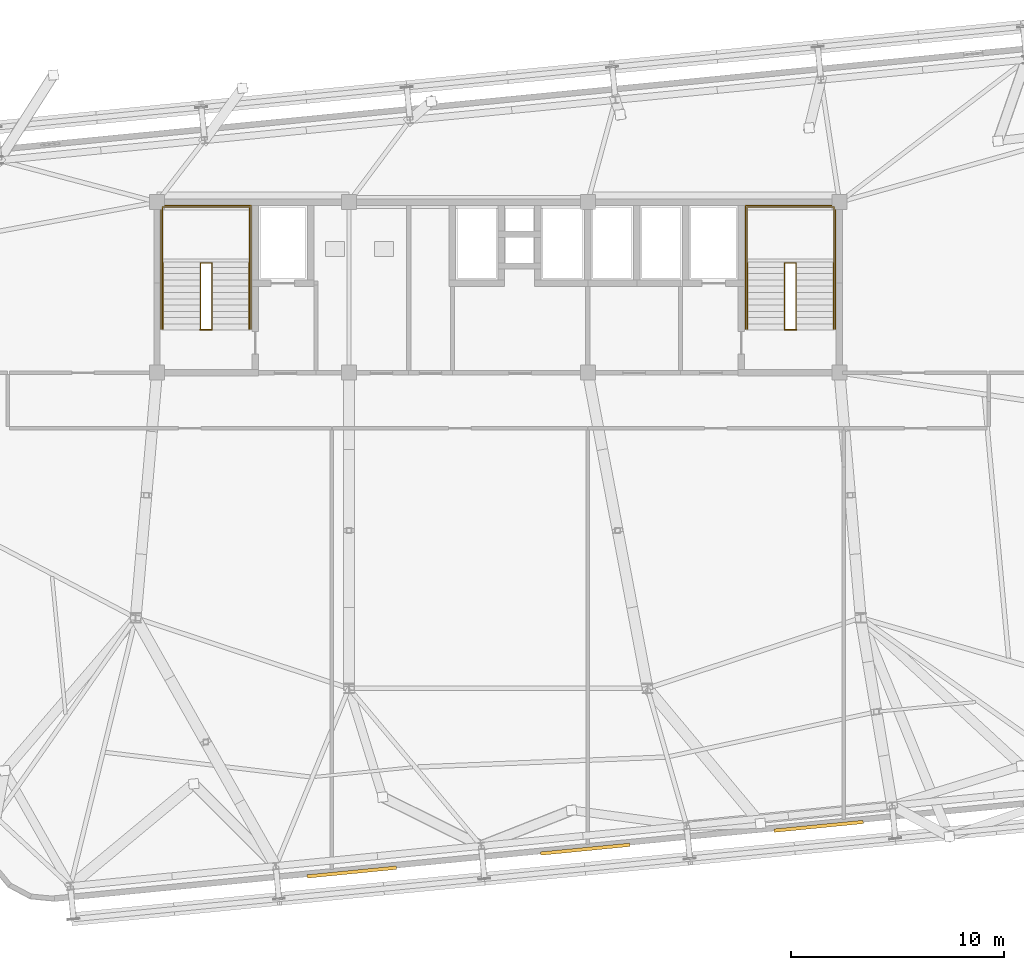
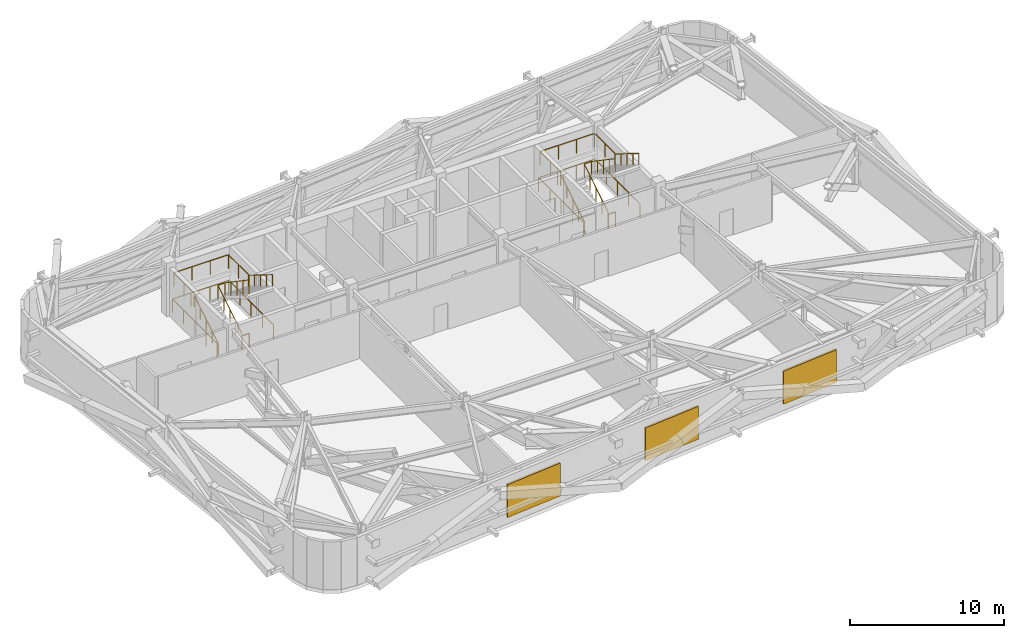
# One storey, part 24 of 24: 12 railings, 3 shading devices.
"""IFC4 building model written with IfcOpenShell, lengths in metres."""

from ifc_helpers import new_model, si_unit, direction, frame, origin, origin_2d, place, context, subcontext, project, spatial, rectangle, extrude, source, transform, mapped, material, layer, layer_set, type_object, element, save


model = new_model("IFC4")

# Units and contexts
model_context = context("Model", 3, precision=1e-05, world=origin(), true_north=direction((0.0, 1.0)))
body_context = subcontext(model_context, "Body", "Model", "MODEL_VIEW")
ifc_project = project(units=[si_unit("LENGTHUNIT", "METRE"), si_unit("AREAUNIT", "SQUARE_METRE"), si_unit("VOLUMEUNIT", "CUBIC_METRE"), si_unit("PLANEANGLEUNIT", "RADIAN"), si_unit("MASSUNIT", "GRAM", prefix="KILO")], contexts=[model_context])

# Site, building, storey
site_placement = place(None, origin())
site = spatial("IfcSite", under=ifc_project, at=site_placement, CompositionType="ELEMENT")
building_placement = place(site_placement, origin())
building = spatial("IfcBuilding", under=site, at=building_placement, Name="Taldren Reach Tower", CompositionType="ELEMENT")
storey_placement = place(building_placement, frame((0.0, 0.0, 112.35009765625)))
storey = spatial("IfcBuildingStorey", under=building, at=storey_placement, Name="L34", CompositionType="ELEMENT", Elevation=112.35009765625)

# Railings
ifc_material_1 = material(Name="Steel Gr 350 (C350L0)", Category="steel")
ifc_layer_1 = layer(ifc_material_1, 0.050048828125)
ifc_layer_set_1 = layer_set([ifc_layer_1], Name="Steel Gr 350 (C350L0)")
railing_type_1 = type_object("IfcRailingType", Name="RL-STAIR-GR", PredefinedType="GUARDRAIL", material=ifc_layer_set_1)
railing_1_placement = place(storey_placement, frame((19.260009765625, 29.135009765625, 2.099853515625)))
element("IfcRailing", 1, at=railing_1_placement, inside=storey, type_object=railing_type_1, Name="Stair half-landing perimeter guard ST1-L34", PredefinedType="GUARDRAIL", context=body_context, shape_type="SweptSolid", body=[
    extrude(rectangle(XDim=0.047852, YDim=0.047852, at=origin_2d()), frame((0.0, 0.0, 1.09619140625), z_axis=(0.0, 1.0, 0.0), x_axis=(-1.0, 0.0, 0.0)), (0.0, 0.0, 1.0), 2.64501953125),
    extrude(rectangle(XDim=0.047852, YDim=0.047852, at=origin_2d()), frame((0.0, 2.64501953125, 1.09619140625), z_axis=(1.0, 0.0, 0.0), x_axis=(0.0, 1.0, 0.0)), (0.0, 0.0, 1.0), 4.080078125),
    extrude(rectangle(XDim=0.047852, YDim=0.047852, at=origin_2d()), frame((4.080078125, 2.64501953125, 1.09619140625), z_axis=(0.0, -1.0, 0.0), x_axis=(1.0, 0.0, 0.0)), (0.0, 0.0, 1.0), 2.64501953125),
    extrude(rectangle(XDim=0.041992, YDim=0.041992, at=origin_2d()), origin(), (0.0, 0.0, 1.0), 1.072021484375),
    extrude(rectangle(XDim=0.041992, YDim=0.041992, at=origin_2d()), frame((0.0, 1.322509765625, 0.0)), (0.0, 0.0, 1.0), 1.072021484375),
    extrude(rectangle(XDim=0.041992, YDim=0.041992, at=origin_2d()), frame((0.0, 2.64501953125, 0.0)), (0.0, 0.0, 1.0), 1.072021484375),
    extrude(rectangle(XDim=0.041992, YDim=0.041992, at=origin_2d()), frame((1.360107421875, 2.64501953125, 0.0)), (0.0, 0.0, 1.0), 1.072021484375),
    extrude(rectangle(XDim=0.041992, YDim=0.041992, at=origin_2d()), frame((2.719970703125, 2.64501953125, 0.0)), (0.0, 0.0, 1.0), 1.072021484375),
    extrude(rectangle(XDim=0.041992, YDim=0.041992, at=origin_2d()), frame((4.080078125, 2.64501953125, 0.0)), (0.0, 0.0, 1.0), 1.072021484375),
    extrude(rectangle(XDim=0.041992, YDim=0.041992, at=origin_2d()), frame((4.080078125, 1.322509765625, 0.0)), (0.0, 0.0, 1.0), 1.072021484375),
    extrude(rectangle(XDim=0.041992, YDim=0.041992, at=origin_2d()), frame((4.080078125, 0.0, 0.0)), (0.0, 0.0, 1.0), 1.072021484375),
])
railing_2_placement = place(storey_placement, frame((21.030029296875, 26.050048828125, 0.1748046875)))
element("IfcRailing", 2, at=railing_2_placement, inside=storey, type_object=railing_type_1, Name="Stairwell inner guard ST1-L34", PredefinedType="GUARDRAIL", context=body_context, shape_type="SweptSolid", body=[
    extrude(rectangle(XDim=0.047852, YDim=0.047852, at=origin_2d()), frame((0.0, 0.0, 1.09619140625), z_axis=(0.0, 0.848375277705, 0.529395304266), x_axis=(-1.0, 0.0, 0.0)), (0.0, 0.0, 1.0), 3.63623046875),
    extrude(rectangle(XDim=0.047852, YDim=0.047852, at=origin_2d()), frame((0.0, 3.0849609375, 3.02099609375), z_axis=(1.0, 0.0, 0.0), x_axis=(0.0, 1.0, 0.0)), (0.0, 0.0, 1.0), 0.5400390625),
    extrude(rectangle(XDim=0.047852, YDim=0.047852, at=origin_2d()), frame((0.5400390625, 3.0849609375, 3.02099609375), z_axis=(0.0, -0.826636801581, 0.562735815701), x_axis=(1.0, 0.0, 0.0)), (0.0, 0.0, 1.0), 3.73193359375),
    extrude(rectangle(XDim=0.041992, YDim=0.041992, at=origin_2d()), origin(), (0.0, 0.0, 1.0), 1.072021484375),
    extrude(rectangle(XDim=0.041992, YDim=0.041992, at=origin_2d()), frame((0.0, 0.771240234375, 0.481201171875)), (0.0, 0.0, 1.0), 1.072021484375),
    extrude(rectangle(XDim=0.041992, YDim=0.041992, at=origin_2d()), frame((0.0, 1.54248046875, 0.96240234375)), (0.0, 0.0, 1.0), 1.072021484375),
    extrude(rectangle(XDim=0.041992, YDim=0.041992, at=origin_2d()), frame((0.0, 2.313720703125, 1.44384765625)), (0.0, 0.0, 1.0), 1.072021484375),
    extrude(rectangle(XDim=0.041992, YDim=0.041992, at=origin_2d()), frame((0.0, 3.0849609375, 1.925048828125)), (0.0, 0.0, 1.0), 1.072021484375),
    extrude(rectangle(XDim=0.041992, YDim=0.041992, at=origin_2d()), frame((0.5400390625, 3.0849609375, 1.925048828125)), (0.0, 0.0, 1.0), 1.072021484375),
    extrude(rectangle(XDim=0.041992, YDim=0.041992, at=origin_2d()), frame((0.5400390625, 2.313720703125, 2.4501953125)), (0.0, 0.0, 1.0), 1.072021484375),
    extrude(rectangle(XDim=0.041992, YDim=0.041992, at=origin_2d()), frame((0.5400390625, 1.54248046875, 2.97509765625)), (0.0, 0.0, 1.0), 1.072021484375),
    extrude(rectangle(XDim=0.041992, YDim=0.041992, at=origin_2d()), frame((0.5400390625, 0.771240234375, 3.5)), (0.0, 0.0, 1.0), 1.072021484375),
    extrude(rectangle(XDim=0.041992, YDim=0.041992, at=origin_2d()), frame((0.5400390625, 0.0, 4.025146484375)), (0.0, 0.0, 1.0), 1.072021484375),
])
railing_3_placement = place(storey_placement, frame((21.030029296875, 26.010009765625, 0.0)))
element("IfcRailing", 3, at=railing_3_placement, inside=storey, type_object=railing_type_1, Name="Stairwell landing slot guard ST1-L34", PredefinedType="GUARDRAIL", context=body_context, shape_type="SweptSolid", body=[
    extrude(rectangle(XDim=0.047852, YDim=0.047852, at=origin_2d()), frame((0.0, 0.0, 1.09619140625), z_axis=(1.0, 0.0, 0.0), x_axis=(0.0, 1.0, 0.0)), (0.0, 0.0, 1.0), 0.5400390625),
    extrude(rectangle(XDim=0.041992, YDim=0.041992, at=origin_2d()), origin(), (0.0, 0.0, 1.0), 1.072021484375),
    extrude(rectangle(XDim=0.041992, YDim=0.041992, at=origin_2d()), frame((0.5400390625, 0.0, 0.0)), (0.0, 0.0, 1.0), 1.072021484375),
])
railing_4_placement = place(storey_placement, frame((19.18994140625, 26.050048828125, 0.0)))
element("IfcRailing", 4, at=railing_4_placement, inside=storey, type_object=railing_type_1, Name="Stairwell floor opening guard ST1-L34", PredefinedType="GUARDRAIL", context=body_context, shape_type="SweptSolid", body=[
    extrude(rectangle(XDim=0.047852, YDim=0.047852, at=origin_2d()), frame((0.0, 0.0, 1.09619140625), z_axis=(0.0, 1.0, 0.0), x_axis=(-1.0, 0.0, 0.0)), (0.0, 0.0, 1.0), 5.800048828125),
    extrude(rectangle(XDim=0.047852, YDim=0.047852, at=origin_2d()), frame((0.0, 5.800048828125, 1.09619140625), z_axis=(1.0, 0.0, 0.0), x_axis=(0.0, 1.0, 0.0)), (0.0, 0.0, 1.0), 4.219970703125),
    extrude(rectangle(XDim=0.047852, YDim=0.047852, at=origin_2d()), frame((4.219970703125, 5.800048828125, 1.09619140625), z_axis=(0.0, -1.0, 0.0), x_axis=(1.0, 0.0, 0.0)), (0.0, 0.0, 1.0), 5.800048828125),
    extrude(rectangle(XDim=0.041992, YDim=0.041992, at=origin_2d()), origin(), (0.0, 0.0, 1.0), 1.072021484375),
    extrude(rectangle(XDim=0.041992, YDim=0.041992, at=origin_2d()), frame((0.0, 1.449951171875, 0.0)), (0.0, 0.0, 1.0), 1.072021484375),
    extrude(rectangle(XDim=0.041992, YDim=0.041992, at=origin_2d()), frame((0.0, 2.89990234375, 0.0)), (0.0, 0.0, 1.0), 1.072021484375),
    extrude(rectangle(XDim=0.041992, YDim=0.041992, at=origin_2d()), frame((0.0, 4.35009765625, 0.0)), (0.0, 0.0, 1.0), 1.072021484375),
    extrude(rectangle(XDim=0.041992, YDim=0.041992, at=origin_2d()), frame((0.0, 5.800048828125, 0.0)), (0.0, 0.0, 1.0), 1.072021484375),
    extrude(rectangle(XDim=0.041992, YDim=0.041992, at=origin_2d()), frame((1.40673828125, 5.800048828125, 0.0)), (0.0, 0.0, 1.0), 1.072021484375),
    extrude(rectangle(XDim=0.041992, YDim=0.041992, at=origin_2d()), frame((2.813232421875, 5.800048828125, 0.0)), (0.0, 0.0, 1.0), 1.072021484375),
    extrude(rectangle(XDim=0.041992, YDim=0.041992, at=origin_2d()), frame((4.219970703125, 5.800048828125, 0.0)), (0.0, 0.0, 1.0), 1.072021484375),
    extrude(rectangle(XDim=0.041992, YDim=0.041992, at=origin_2d()), frame((4.219970703125, 4.35009765625, 0.0)), (0.0, 0.0, 1.0), 1.072021484375),
    extrude(rectangle(XDim=0.041992, YDim=0.041992, at=origin_2d()), frame((4.219970703125, 2.89990234375, 0.0)), (0.0, 0.0, 1.0), 1.072021484375),
    extrude(rectangle(XDim=0.041992, YDim=0.041992, at=origin_2d()), frame((4.219970703125, 1.449951171875, 0.0)), (0.0, 0.0, 1.0), 1.072021484375),
    extrude(rectangle(XDim=0.041992, YDim=0.041992, at=origin_2d()), frame((4.219970703125, 0.0, 0.0)), (0.0, 0.0, 1.0), 1.072021484375),
])
railing_5_placement = place(storey_placement, frame((46.659912109375, 29.135009765625, 2.099853515625)))
element("IfcRailing", 5, at=railing_5_placement, inside=storey, type_object=railing_type_1, Name="Stair half-landing perimeter guard ST2-L34", PredefinedType="GUARDRAIL", context=body_context, shape_type="SweptSolid", body=[
    extrude(rectangle(XDim=0.047852, YDim=0.047852, at=origin_2d()), frame((0.0, 0.0, 1.09619140625), z_axis=(0.0, 1.0, 0.0), x_axis=(-1.0, 0.0, 0.0)), (0.0, 0.0, 1.0), 2.64501953125),
    extrude(rectangle(XDim=0.047852, YDim=0.047852, at=origin_2d()), frame((0.0, 2.64501953125, 1.09619140625), z_axis=(1.0, 0.0, 0.0), x_axis=(0.0, 1.0, 0.0)), (0.0, 0.0, 1.0), 4.080078125),
    extrude(rectangle(XDim=0.047852, YDim=0.047852, at=origin_2d()), frame((4.080078125, 2.64501953125, 1.09619140625), z_axis=(0.0, -1.0, 0.0), x_axis=(1.0, 0.0, 0.0)), (0.0, 0.0, 1.0), 2.64501953125),
    extrude(rectangle(XDim=0.041992, YDim=0.041992, at=origin_2d()), origin(), (0.0, 0.0, 1.0), 1.072021484375),
    extrude(rectangle(XDim=0.041992, YDim=0.041992, at=origin_2d()), frame((0.0, 1.322509765625, 0.0)), (0.0, 0.0, 1.0), 1.072021484375),
    extrude(rectangle(XDim=0.041992, YDim=0.041992, at=origin_2d()), frame((0.0, 2.64501953125, 0.0)), (0.0, 0.0, 1.0), 1.072021484375),
    extrude(rectangle(XDim=0.041992, YDim=0.041992, at=origin_2d()), frame((1.360107421875, 2.64501953125, 0.0)), (0.0, 0.0, 1.0), 1.072021484375),
    extrude(rectangle(XDim=0.041992, YDim=0.041992, at=origin_2d()), frame((2.719970703125, 2.64501953125, 0.0)), (0.0, 0.0, 1.0), 1.072021484375),
    extrude(rectangle(XDim=0.041992, YDim=0.041992, at=origin_2d()), frame((4.080078125, 2.64501953125, 0.0)), (0.0, 0.0, 1.0), 1.072021484375),
    extrude(rectangle(XDim=0.041992, YDim=0.041992, at=origin_2d()), frame((4.080078125, 1.322509765625, 0.0)), (0.0, 0.0, 1.0), 1.072021484375),
    extrude(rectangle(XDim=0.041992, YDim=0.041992, at=origin_2d()), frame((4.080078125, 0.0, 0.0)), (0.0, 0.0, 1.0), 1.072021484375),
])
railing_6_placement = place(storey_placement, frame((48.429931640625, 26.050048828125, 0.1748046875)))
element("IfcRailing", 6, at=railing_6_placement, inside=storey, type_object=railing_type_1, Name="Stairwell inner guard ST2-L34", PredefinedType="GUARDRAIL", context=body_context, shape_type="SweptSolid", body=[
    extrude(rectangle(XDim=0.047852, YDim=0.047852, at=origin_2d()), frame((0.0, 0.0, 1.09619140625), z_axis=(0.0, 0.848375277705, 0.529395304266), x_axis=(-1.0, 0.0, 0.0)), (0.0, 0.0, 1.0), 3.63623046875),
    extrude(rectangle(XDim=0.047852, YDim=0.047852, at=origin_2d()), frame((0.0, 3.0849609375, 3.02099609375), z_axis=(1.0, 0.0, 0.0), x_axis=(0.0, 1.0, 0.0)), (0.0, 0.0, 1.0), 0.5400390625),
    extrude(rectangle(XDim=0.047852, YDim=0.047852, at=origin_2d()), frame((0.5400390625, 3.0849609375, 3.02099609375), z_axis=(0.0, -0.826636801581, 0.562735815701), x_axis=(1.0, 0.0, 0.0)), (0.0, 0.0, 1.0), 3.73193359375),
    extrude(rectangle(XDim=0.041992, YDim=0.041992, at=origin_2d()), origin(), (0.0, 0.0, 1.0), 1.072021484375),
    extrude(rectangle(XDim=0.041992, YDim=0.041992, at=origin_2d()), frame((0.0, 0.771240234375, 0.481201171875)), (0.0, 0.0, 1.0), 1.072021484375),
    extrude(rectangle(XDim=0.041992, YDim=0.041992, at=origin_2d()), frame((0.0, 1.54248046875, 0.96240234375)), (0.0, 0.0, 1.0), 1.072021484375),
    extrude(rectangle(XDim=0.041992, YDim=0.041992, at=origin_2d()), frame((0.0, 2.313720703125, 1.44384765625)), (0.0, 0.0, 1.0), 1.072021484375),
    extrude(rectangle(XDim=0.041992, YDim=0.041992, at=origin_2d()), frame((0.0, 3.0849609375, 1.925048828125)), (0.0, 0.0, 1.0), 1.072021484375),
    extrude(rectangle(XDim=0.041992, YDim=0.041992, at=origin_2d()), frame((0.5400390625, 3.0849609375, 1.925048828125)), (0.0, 0.0, 1.0), 1.072021484375),
    extrude(rectangle(XDim=0.041992, YDim=0.041992, at=origin_2d()), frame((0.5400390625, 2.313720703125, 2.4501953125)), (0.0, 0.0, 1.0), 1.072021484375),
    extrude(rectangle(XDim=0.041992, YDim=0.041992, at=origin_2d()), frame((0.5400390625, 1.54248046875, 2.97509765625)), (0.0, 0.0, 1.0), 1.072021484375),
    extrude(rectangle(XDim=0.041992, YDim=0.041992, at=origin_2d()), frame((0.5400390625, 0.771240234375, 3.5)), (0.0, 0.0, 1.0), 1.072021484375),
    extrude(rectangle(XDim=0.041992, YDim=0.041992, at=origin_2d()), frame((0.5400390625, 0.0, 4.025146484375)), (0.0, 0.0, 1.0), 1.072021484375),
])
railing_7_placement = place(storey_placement, frame((48.429931640625, 26.010009765625, 0.0)))
element("IfcRailing", 7, at=railing_7_placement, inside=storey, type_object=railing_type_1, Name="Stairwell landing slot guard ST2-L34", PredefinedType="GUARDRAIL", context=body_context, shape_type="SweptSolid", body=[
    extrude(rectangle(XDim=0.047852, YDim=0.047852, at=origin_2d()), frame((0.0, 0.0, 1.09619140625), z_axis=(1.0, 0.0, 0.0), x_axis=(0.0, 1.0, 0.0)), (0.0, 0.0, 1.0), 0.5400390625),
    extrude(rectangle(XDim=0.041992, YDim=0.041992, at=origin_2d()), origin(), (0.0, 0.0, 1.0), 1.072021484375),
    extrude(rectangle(XDim=0.041992, YDim=0.041992, at=origin_2d()), frame((0.5400390625, 0.0, 0.0)), (0.0, 0.0, 1.0), 1.072021484375),
])
railing_8_placement = place(storey_placement, frame((46.590087890625, 26.050048828125, 0.0)))
element("IfcRailing", 8, at=railing_8_placement, inside=storey, type_object=railing_type_1, Name="Stairwell floor opening guard ST2-L34", PredefinedType="GUARDRAIL", context=body_context, shape_type="SweptSolid", body=[
    extrude(rectangle(XDim=0.047852, YDim=0.047852, at=origin_2d()), frame((0.0, 0.0, 1.09619140625), z_axis=(0.0, 1.0, 0.0), x_axis=(-1.0, 0.0, 0.0)), (0.0, 0.0, 1.0), 5.800048828125),
    extrude(rectangle(XDim=0.047852, YDim=0.047852, at=origin_2d()), frame((0.0, 5.800048828125, 1.09619140625), z_axis=(1.0, 0.0, 0.0), x_axis=(0.0, 1.0, 0.0)), (0.0, 0.0, 1.0), 4.219970703125),
    extrude(rectangle(XDim=0.047852, YDim=0.047852, at=origin_2d()), frame((4.219970703125, 5.800048828125, 1.09619140625), z_axis=(0.0, -1.0, 0.0), x_axis=(1.0, 0.0, 0.0)), (0.0, 0.0, 1.0), 5.800048828125),
    extrude(rectangle(XDim=0.041992, YDim=0.041992, at=origin_2d()), origin(), (0.0, 0.0, 1.0), 1.072021484375),
    extrude(rectangle(XDim=0.041992, YDim=0.041992, at=origin_2d()), frame((0.0, 1.449951171875, 0.0)), (0.0, 0.0, 1.0), 1.072021484375),
    extrude(rectangle(XDim=0.041992, YDim=0.041992, at=origin_2d()), frame((0.0, 2.89990234375, 0.0)), (0.0, 0.0, 1.0), 1.072021484375),
    extrude(rectangle(XDim=0.041992, YDim=0.041992, at=origin_2d()), frame((0.0, 4.35009765625, 0.0)), (0.0, 0.0, 1.0), 1.072021484375),
    extrude(rectangle(XDim=0.041992, YDim=0.041992, at=origin_2d()), frame((0.0, 5.800048828125, 0.0)), (0.0, 0.0, 1.0), 1.072021484375),
    extrude(rectangle(XDim=0.041992, YDim=0.041992, at=origin_2d()), frame((1.40673828125, 5.800048828125, 0.0)), (0.0, 0.0, 1.0), 1.072021484375),
    extrude(rectangle(XDim=0.041992, YDim=0.041992, at=origin_2d()), frame((2.813232421875, 5.800048828125, 0.0)), (0.0, 0.0, 1.0), 1.072021484375),
    extrude(rectangle(XDim=0.041992, YDim=0.041992, at=origin_2d()), frame((4.219970703125, 5.800048828125, 0.0)), (0.0, 0.0, 1.0), 1.072021484375),
    extrude(rectangle(XDim=0.041992, YDim=0.041992, at=origin_2d()), frame((4.219970703125, 4.35009765625, 0.0)), (0.0, 0.0, 1.0), 1.072021484375),
    extrude(rectangle(XDim=0.041992, YDim=0.041992, at=origin_2d()), frame((4.219970703125, 2.89990234375, 0.0)), (0.0, 0.0, 1.0), 1.072021484375),
    extrude(rectangle(XDim=0.041992, YDim=0.041992, at=origin_2d()), frame((4.219970703125, 1.449951171875, 0.0)), (0.0, 0.0, 1.0), 1.072021484375),
    extrude(rectangle(XDim=0.041992, YDim=0.041992, at=origin_2d()), frame((4.219970703125, 0.0, 0.0)), (0.0, 0.0, 1.0), 1.072021484375),
])
ifc_material_2 = material(Name="Stainless Steel Gr 316", Category="steel")
ifc_layer_2 = layer(ifc_material_2, 0.048095703125)
ifc_layer_set_2 = layer_set([ifc_layer_2], Name="Stainless Steel Gr 316")
railing_type_2 = type_object("IfcRailingType", Name="RL-STAIR-HR", PredefinedType="HANDRAIL", material=ifc_layer_set_2)
railing_9_placement = place(storey_placement, frame((19.27001953125, 26.050048828125, 0.1748046875)))
element("IfcRailing", 9, at=railing_9_placement, inside=storey, type_object=railing_type_2, Name="Stair flight handrail ST1-L34-1", PredefinedType="HANDRAIL", context=body_context, shape_type="SweptSolid", body=[
    extrude(rectangle(XDim=0.047852, YDim=0.047852, at=origin_2d()), frame((0.0, 0.0, 0.89599609375), z_axis=(0.0, 0.848375277705, 0.529395304266), x_axis=(-1.0, 0.0, 0.0)), (0.0, 0.0, 1.0), 3.63623046875),
    extrude(rectangle(XDim=0.041992, YDim=0.041992, at=origin_2d()), origin(), (0.0, 0.0, 1.0), 0.871826171875),
    extrude(rectangle(XDim=0.041992, YDim=0.041992, at=origin_2d()), frame((0.0, 0.771240234375, 0.481201171875)), (0.0, 0.0, 1.0), 0.871826171875),
    extrude(rectangle(XDim=0.041992, YDim=0.041992, at=origin_2d()), frame((0.0, 1.54248046875, 0.96240234375)), (0.0, 0.0, 1.0), 0.871826171875),
    extrude(rectangle(XDim=0.041992, YDim=0.041992, at=origin_2d()), frame((0.0, 2.313720703125, 1.44384765625)), (0.0, 0.0, 1.0), 0.871826171875),
    extrude(rectangle(XDim=0.041992, YDim=0.041992, at=origin_2d()), frame((0.0, 3.0849609375, 1.925048828125)), (0.0, 0.0, 1.0), 0.871826171875),
])
railing_10_placement = place(storey_placement, frame((23.330078125, 29.135009765625, 2.27490234375)))
element("IfcRailing", 10, at=railing_10_placement, inside=storey, type_object=railing_type_2, Name="Stair flight handrail ST1-L34-2", PredefinedType="HANDRAIL", context=body_context, shape_type="SweptSolid", body=[
    extrude(rectangle(XDim=0.047852, YDim=0.047852, at=origin_2d()), frame((0.0, 0.0, 0.89599609375), z_axis=(0.0, -0.848375277705, 0.529395304266), x_axis=(1.0, 0.0, 0.0)), (0.0, 0.0, 1.0), 3.63623046875),
    extrude(rectangle(XDim=0.041992, YDim=0.041992, at=origin_2d()), origin(), (0.0, 0.0, 1.0), 0.871826171875),
    extrude(rectangle(XDim=0.041992, YDim=0.041992, at=origin_2d()), frame((0.0, -0.771240234375, 0.481201171875)), (0.0, 0.0, 1.0), 0.871826171875),
    extrude(rectangle(XDim=0.041992, YDim=0.041992, at=origin_2d()), frame((0.0, -1.54248046875, 0.96240234375)), (0.0, 0.0, 1.0), 0.871826171875),
    extrude(rectangle(XDim=0.041992, YDim=0.041992, at=origin_2d()), frame((0.0, -2.313720703125, 1.44384765625)), (0.0, 0.0, 1.0), 0.871826171875),
    extrude(rectangle(XDim=0.041992, YDim=0.041992, at=origin_2d()), frame((0.0, -3.0849609375, 1.925048828125)), (0.0, 0.0, 1.0), 0.871826171875),
])
railing_11_placement = place(storey_placement, frame((46.669921875, 26.050048828125, 0.1748046875)))
element("IfcRailing", 11, at=railing_11_placement, inside=storey, type_object=railing_type_2, Name="Stair flight handrail ST2-L34-1", PredefinedType="HANDRAIL", context=body_context, shape_type="SweptSolid", body=[
    extrude(rectangle(XDim=0.047852, YDim=0.047852, at=origin_2d()), frame((0.0, 0.0, 0.89599609375), z_axis=(0.0, 0.848375277705, 0.529395304266), x_axis=(-1.0, 0.0, 0.0)), (0.0, 0.0, 1.0), 3.63623046875),
    extrude(rectangle(XDim=0.041992, YDim=0.041992, at=origin_2d()), origin(), (0.0, 0.0, 1.0), 0.871826171875),
    extrude(rectangle(XDim=0.041992, YDim=0.041992, at=origin_2d()), frame((0.0, 0.771240234375, 0.481201171875)), (0.0, 0.0, 1.0), 0.871826171875),
    extrude(rectangle(XDim=0.041992, YDim=0.041992, at=origin_2d()), frame((0.0, 1.54248046875, 0.96240234375)), (0.0, 0.0, 1.0), 0.871826171875),
    extrude(rectangle(XDim=0.041992, YDim=0.041992, at=origin_2d()), frame((0.0, 2.313720703125, 1.44384765625)), (0.0, 0.0, 1.0), 0.871826171875),
    extrude(rectangle(XDim=0.041992, YDim=0.041992, at=origin_2d()), frame((0.0, 3.0849609375, 1.925048828125)), (0.0, 0.0, 1.0), 0.871826171875),
])
railing_12_placement = place(storey_placement, frame((50.72998046875, 29.135009765625, 2.27490234375)))
element("IfcRailing", 12, at=railing_12_placement, inside=storey, type_object=railing_type_2, Name="Stair flight handrail ST2-L34-2", PredefinedType="HANDRAIL", context=body_context, shape_type="SweptSolid", body=[
    extrude(rectangle(XDim=0.047852, YDim=0.047852, at=origin_2d()), frame((0.0, 0.0, 0.89599609375), z_axis=(0.0, -0.848375277705, 0.529395304266), x_axis=(1.0, 0.0, 0.0)), (0.0, 0.0, 1.0), 3.63623046875),
    extrude(rectangle(XDim=0.041992, YDim=0.041992, at=origin_2d()), origin(), (0.0, 0.0, 1.0), 0.871826171875),
    extrude(rectangle(XDim=0.041992, YDim=0.041992, at=origin_2d()), frame((0.0, -0.771240234375, 0.481201171875)), (0.0, 0.0, 1.0), 0.871826171875),
    extrude(rectangle(XDim=0.041992, YDim=0.041992, at=origin_2d()), frame((0.0, -1.54248046875, 0.96240234375)), (0.0, 0.0, 1.0), 0.871826171875),
    extrude(rectangle(XDim=0.041992, YDim=0.041992, at=origin_2d()), frame((0.0, -2.313720703125, 1.44384765625)), (0.0, 0.0, 1.0), 0.871826171875),
    extrude(rectangle(XDim=0.041992, YDim=0.041992, at=origin_2d()), frame((0.0, -3.0849609375, 1.925048828125)), (0.0, 0.0, 1.0), 0.871826171875),
])

# Shading devices
ifc_material_3 = material(Name="Pale-Anodised Stormproof Aluminium Acoustic Louvre", Category="aluminium")
ifc_layer_3 = layer(ifc_material_3, 0.159912109375)
ifc_layer_set_3 = layer_set([ifc_layer_3], Name="Pale-Anodised Stormproof Aluminium Acoustic Louvre")
shading_device_type = type_object("IfcShadingDeviceType", Name="LV-PLANT-270", PredefinedType="SHUTTER", material=ifc_layer_set_3)
shared_shape = source(origin(), body_context, "Body", "SweptSolid", [
    extrude(rectangle(XDim=4.199951171875, YDim=0.159912109375, at=origin_2d()), origin(), (0.0, 0.0, 1.0), 2.60009765625),
])
for number, where, z_axis, x_axis, name in (
    (13, (28.132568359375, 0.581298828125, 0.5498046875), (0.0, 0.0, 1.0), (0.995227399982, 0.097582899759, 0.0), "Plant room acoustic weather louvre L34-1"),
    (14, (39.080078125, 1.654541015625, 0.5498046875), (0.0, 0.0, 1.0), (0.995227399982, 0.097582899759, 0.0), "Plant room acoustic weather louvre L34-2"),
    (15, (50.027587890625, 2.72802734375, 0.5498046875), (0.0, 0.0, 1.0), (0.995227399982, 0.097582899759, 0.0), "Plant room acoustic weather louvre L34-3"),
):
    element("IfcShadingDevice", number, at=place(storey_placement, frame(where, z_axis=z_axis, x_axis=x_axis)), inside=storey, type_object=shading_device_type, Name=name, PredefinedType="SHUTTER", context=body_context, shape_type="MappedRepresentation", body=[
        mapped(shared_shape, transform((0.0, 0.0, 0.0), scale=1.0)),
    ])

save(model, "model.ifc")
